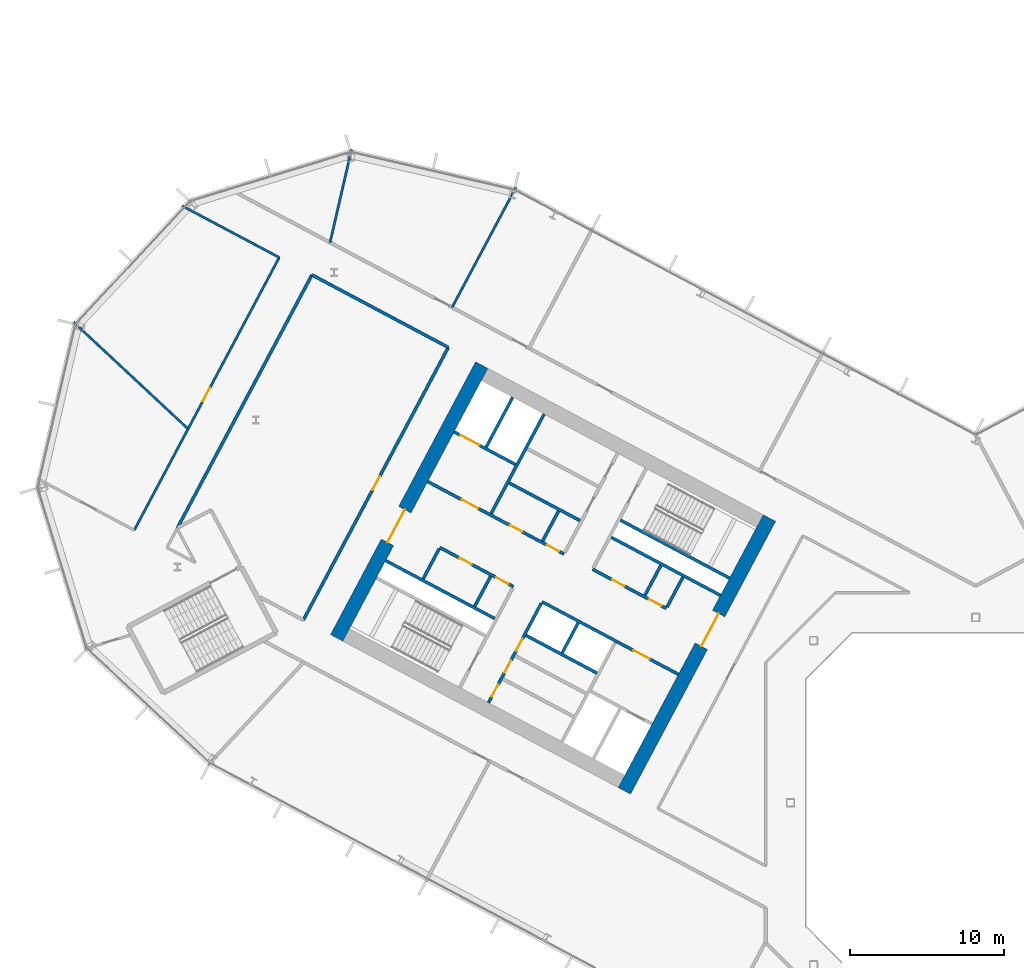
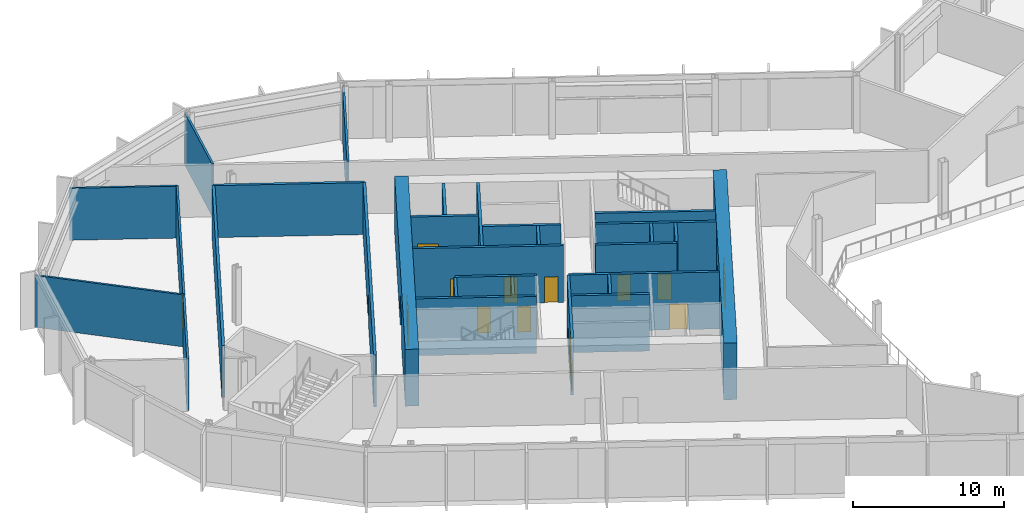
# One storey, part 14 of 32: 29 walls, 16 doors, 16 openings.
"""IFC4 building model written with IfcOpenShell, lengths in metres."""

from ifc_helpers import new_model, si_unit, direction, frame, frame_2d, origin, place, context, subcontext, project, spatial, rectangle, extrude, material, layer, layer_set, type_object, element, fill, save


model = new_model("IFC4")

# Units and contexts
model_context = context("Model", 3, precision=1e-05, world=origin(), true_north=direction((0.0, 1.0)))
body_context = subcontext(model_context, "Body", "Model", "MODEL_VIEW")
ifc_project = project(units=[si_unit("LENGTHUNIT", "METRE"), si_unit("AREAUNIT", "SQUARE_METRE"), si_unit("VOLUMEUNIT", "CUBIC_METRE"), si_unit("PLANEANGLEUNIT", "RADIAN"), si_unit("MASSUNIT", "GRAM", prefix="KILO")], contexts=[model_context])

# Site, building, storey
site_placement = place(None, origin())
site = spatial("IfcSite", under=ifc_project, at=site_placement, CompositionType="ELEMENT")
building_placement = place(site_placement, origin())
building = spatial("IfcBuilding", under=site, at=building_placement, Name="Cormorant Relay Tower", CompositionType="ELEMENT")
storey_placement = place(building_placement, frame((0.0, 0.0, 70.800048828125)))
storey = spatial("IfcBuildingStorey", under=building, at=storey_placement, Name="L13", CompositionType="ELEMENT", Elevation=70.800048828125)

# Walls
ifc_material_1 = material(Name="Concrete 40 MPa", Category="concrete")
ifc_layer_1 = layer(ifc_material_1, 0.199951171875)
ifc_layer_set_1 = layer_set([ifc_layer_1], Name="Core internal wall 200")
wall_type_1 = type_object("IfcWallType", Name="Core internal wall 200", PredefinedType="SOLIDWALL", material=ifc_layer_set_1)
wall_1_placement = place(storey_placement, frame((-20.39013671875, 15.371826171875, 0.0), z_axis=(0.0, 0.0, 1.0), x_axis=(-0.4694473164, -0.882960484464, 0.0)))
element("IfcWall", 1, at=wall_1_placement, inside=storey, type_object=wall_type_1, Name="L13 core A shaft and room wall", PredefinedType="SOLIDWALL", context=body_context, shape_type="SweptSolid", body=[
    extrude(rectangle(XDim=2.199951171875, YDim=0.199951171875, at=frame_2d((1.10009765625, 0.0))), origin(), (0.0, 0.0, 1.0), 4.599853515625),
])
wall_2_placement = place(storey_placement, frame((-25.744140625, 11.64990234375, 0.0), z_axis=(0.0, 0.0, 1.0), x_axis=(-0.469487830541, -0.882938942948, 0.0)))
element("IfcWall", 2, at=wall_2_placement, inside=storey, type_object=wall_type_1, Name="L13 core A shaft and room wall", PredefinedType="SOLIDWALL", context=body_context, shape_type="SweptSolid", body=[
    extrude(rectangle(XDim=2.2001953125, YDim=0.199951171875, at=frame_2d((1.10009765625, 0.0))), origin(), (0.0, 0.0, 1.0), 4.599853515625),
])
for number, where, z_axis, x_axis, name in (
    (3, (-27.01220703125, 18.892822265625, 0.0), (0.0, 0.0, 1.0), (-0.4694473164, -0.882960484464, 0.0), "L13 core A shaft and room wall"),
    (4, (-31.41259765625, 14.663818359375, 0.0), (0.0, 0.0, 1.0), (-0.469533832133, -0.882914480843, 0.0), "L13 core A shaft and room wall"),
):
    element("IfcWall", number, at=place(storey_placement, frame(where, z_axis=z_axis, x_axis=x_axis)), inside=storey, type_object=wall_type_1, Name=name, PredefinedType="SOLIDWALL", context=body_context, shape_type="SweptSolid", body=[
        extrude(rectangle(XDim=2.199951171875, YDim=0.199951171875, at=frame_2d((1.10009765625, 0.0))), origin(), (0.0, 0.0, 1.0), 4.599853515625),
    ])
ifc_material_2 = material(Name="Concrete 50 MPa", Category="concrete")
ifc_layer_2 = layer(ifc_material_2, 0.199951171875)
ifc_layer_set_2 = layer_set([ifc_layer_2], Name="Core shaft wall 200")
wall_type_2 = type_object("IfcWallType", Name="Core shaft wall 200", PredefinedType="SHEAR", material=ifc_layer_set_2)
wall_3_placement = place(storey_placement, frame((-18.959716796875, 14.611328125, 0.0), z_axis=(0.0, 0.0, 1.0), x_axis=(-0.4694473164, -0.882960484464, 0.0)))
element("IfcWall", 5, at=wall_3_placement, inside=storey, type_object=wall_type_2, Name="L13 core A shaft wall", PredefinedType="SHEAR", context=body_context, shape_type="SweptSolid", body=[
    extrude(rectangle(XDim=2.199951171875, YDim=0.199951171875, at=frame_2d((1.10009765625, 0.0))), origin(), (0.0, 0.0, 1.0), 4.599853515625),
])

# Wall, openings, doors
wall_4_placement = place(storey_placement, frame((-28.128173828125, 12.91748046875, 0.0), z_axis=(0.0, 0.0, 1.0), x_axis=(-0.469454336211, -0.882956752176, 0.0)))
wall_4 = element("IfcWall", 6, at=wall_4_placement, inside=storey, type_object=wall_type_2, Name="L13 core A shaft wall", PredefinedType="SHEAR", context=body_context, shape_type="SweptSolid", body=[
    extrude(rectangle(XDim=7.300048828125, YDim=0.199951171875, at=frame_2d((3.64990234375, 0.0))), origin(), (0.0, 0.0, 1.0), 4.599853515625),
])
opening_1_placement = place(wall_4_placement, frame((2.60009765625, 0.0, 0.0)))
opening_1 = element("IfcOpeningElement", 7, at=opening_1_placement, cuts=wall_4, Name="Opening CDD-114", PredefinedType="OPENING", context=body_context, shape_type="SweptSolid", body=[
    extrude(rectangle(XDim=0.89990234375, YDim=2.10009765625, at=frame_2d((0.449951171875, 1.050048828125))), frame((0.0, 0.10986328125, 0.0), z_axis=(0.0, -1.0, 0.0), x_axis=(1.0, 0.0, 0.0)), (0.0, 0.0, 1.0), 0.219970703125),
])
opening_2_placement = place(wall_4_placement, frame((4.199951171875, 0.0, 0.0)))
opening_2 = element("IfcOpeningElement", 8, at=opening_2_placement, cuts=wall_4, Name="Opening CDD-115", PredefinedType="OPENING", context=body_context, shape_type="SweptSolid", body=[
    extrude(rectangle(XDim=0.89990234375, YDim=2.10009765625, at=frame_2d((0.449951171875, 1.050048828125))), frame((0.0, 0.10986328125, 0.0), z_axis=(0.0, -1.0, 0.0), x_axis=(1.0, 0.0, 0.0)), (0.0, 0.0, 1.0), 0.219970703125),
])
opening_3_placement = place(wall_4_placement, frame((5.949951171875, 0.0, 0.0)))
opening_3 = element("IfcOpeningElement", 9, at=opening_3_placement, cuts=wall_4, Name="Opening CDD-116", PredefinedType="OPENING", context=body_context, shape_type="SweptSolid", body=[
    extrude(rectangle(XDim=0.89990234375, YDim=2.10009765625, at=frame_2d((0.449951171875, 1.050048828125))), frame((0.0, 0.10986328125, 0.0), z_axis=(0.0, -1.0, 0.0), x_axis=(1.0, 0.0, 0.0)), (0.0, 0.0, 1.0), 0.219970703125),
])
ifc_material_3 = material(Name="Steel fire door", Category="steel")
door_type_1 = type_object("IfcDoorType", Name="Core room door 900x2100", OperationType="SINGLE_SWING_LEFT", PredefinedType="DOOR", material=ifc_material_3)
door_1_placement = place(opening_1_placement, origin())
door_1 = element("IfcDoor", 10, at=door_1_placement, inside=storey, type_object=door_type_1, Name="Core room door 900x2100", OperationType="SINGLE_SWING_LEFT", OverallHeight=2.10009765625, OverallWidth=0.89990234375, PredefinedType="DOOR", context=body_context, shape_type="SweptSolid", body=[
    extrude(rectangle(XDim=0.89990234375, YDim=2.10009765625, at=frame_2d((0.449951171875, 1.050048828125))), frame((0.0, 0.02490234375, 0.0), z_axis=(0.0, -1.0, 0.0), x_axis=(1.0, 0.0, 0.0)), (0.0, 0.0, 1.0), 0.050048828125),
])
fill(opening_1, door_1)
door_2_placement = place(opening_2_placement, origin())
door_2 = element("IfcDoor", 11, at=door_2_placement, inside=storey, type_object=door_type_1, Name="Core room door 900x2100", OperationType="SINGLE_SWING_LEFT", OverallHeight=2.10009765625, OverallWidth=0.89990234375, PredefinedType="DOOR", context=body_context, shape_type="SweptSolid", body=[
    extrude(rectangle(XDim=0.89990234375, YDim=2.10009765625, at=frame_2d((0.449951171875, 1.050048828125))), frame((0.0, 0.02490234375, 0.0), z_axis=(0.0, -1.0, 0.0), x_axis=(1.0, 0.0, 0.0)), (0.0, 0.0, 1.0), 0.050048828125),
])
fill(opening_2, door_2)
door_3_placement = place(opening_3_placement, origin())
door_3 = element("IfcDoor", 12, at=door_3_placement, inside=storey, type_object=door_type_1, Name="Core room door 900x2100", OperationType="SINGLE_SWING_LEFT", OverallHeight=2.10009765625, OverallWidth=0.89990234375, PredefinedType="DOOR", context=body_context, shape_type="SweptSolid", body=[
    extrude(rectangle(XDim=0.89990234375, YDim=2.10009765625, at=frame_2d((0.449951171875, 1.050048828125))), frame((0.0, 0.02490234375, 0.0), z_axis=(0.0, -1.0, 0.0), x_axis=(1.0, 0.0, 0.0)), (0.0, 0.0, 1.0), 0.050048828125),
])
fill(opening_3, door_3)

# Walls
wall_5_placement = place(storey_placement, frame((-27.955322265625, 25.170654296875, 0.0), z_axis=(0.0, 0.0, 1.0), x_axis=(-0.469480409012, -0.88294288918, 0.0)))
element("IfcWall", 13, at=wall_5_placement, inside=storey, type_object=wall_type_2, Name="L13 core A shaft wall", PredefinedType="SHEAR", context=body_context, shape_type="SweptSolid", body=[
    extrude(rectangle(XDim=7.300048828125, YDim=0.199951171875, at=frame_2d((3.64990234375, 0.0))), origin(), (0.0, 0.0, 1.0), 4.599853515625),
])
wall_6_placement = place(storey_placement, frame((-34.750244140625, 16.4384765625, 0.0), z_axis=(0.0, 0.0, 1.0), x_axis=(-0.469401318492, -0.882984938828, 0.0)))
element("IfcWall", 14, at=wall_6_placement, inside=storey, type_object=wall_type_2, Name="L13 core A shaft wall", PredefinedType="SHEAR", context=body_context, shape_type="SweptSolid", body=[
    extrude(rectangle(XDim=2.199951171875, YDim=0.199951171875, at=frame_2d((1.10009765625, 0.0))), origin(), (0.0, 0.0, 1.0), 4.599853515625),
])
wall_7_placement = place(storey_placement, frame((-29.986083984375, 26.250244140625, 0.0), z_axis=(0.0, 0.0, 1.0), x_axis=(-0.469494272526, -0.882935517501, 0.0)))
element("IfcWall", 15, at=wall_7_placement, inside=storey, type_object=wall_type_2, Name="L13 core A shaft wall", PredefinedType="SHEAR", context=body_context, shape_type="SweptSolid", body=[
    extrude(rectangle(XDim=3.64990234375, YDim=0.199951171875, at=frame_2d((1.824951171875, 0.0))), origin(), (0.0, 0.0, 1.0), 4.599853515625),
])
wall_8_placement = place(storey_placement, frame((-15.94189453125, 14.53564453125, 0.0), z_axis=(0.0, 0.0, 1.0), x_axis=(-0.882946947542, 0.469472776449, 0.0)))
element("IfcWall", 16, at=wall_8_placement, inside=storey, type_object=wall_type_2, Name="L13 core A shaft wall", PredefinedType="SHEAR", context=body_context, shape_type="SweptSolid", body=[
    extrude(rectangle(XDim=8.000244140625, YDim=0.199951171875, at=frame_2d((4.0, 0.0))), origin(), (0.0, 0.0, 1.0), 4.599853515625),
])

# Wall, opening, door
wall_9_placement = place(storey_placement, frame((-29.80419921875, 21.906494140625, 0.0), z_axis=(0.0, 0.0, 1.0), x_axis=(-0.882960433586, 0.469447412093, 0.0)))
wall_9 = element("IfcWall", 17, at=wall_9_placement, inside=storey, type_object=wall_type_2, Name="L13 core A shaft wall", PredefinedType="SHEAR", context=body_context, shape_type="SweptSolid", body=[
    extrude(rectangle(XDim=4.5, YDim=0.199951171875, at=frame_2d((2.25, 0.0))), origin(), (0.0, 0.0, 1.0), 4.599853515625),
])
opening_4_placement = place(wall_9_placement, frame((2.64990234375, 0.0, 0.0)))
opening_4 = element("IfcOpeningElement", 18, at=opening_4_placement, cuts=wall_9, Name="Opening LD3-009", PredefinedType="OPENING", context=body_context, shape_type="SweptSolid", body=[
    extrude(rectangle(XDim=1.39990234375, YDim=2.39990234375, at=frame_2d((0.699951171875, 1.199951171875))), frame((0.0, 0.10986328125, 0.0), z_axis=(0.0, -1.0, 0.0), x_axis=(1.0, 0.0, 0.0)), (0.0, 0.0, 1.0), 0.219970703125),
])
ifc_material_4 = material(Name="Stainless steel 316", Category="steel")
door_type_2 = type_object("IfcDoorType", Name="Lift landing door 1400x2400", OperationType="DOUBLE_DOOR_SLIDING", PredefinedType="DOOR", material=ifc_material_4)
door_4_placement = place(opening_4_placement, origin())
door_4 = element("IfcDoor", 19, at=door_4_placement, inside=storey, type_object=door_type_2, Name="SV1 landing door", OperationType="DOUBLE_DOOR_SLIDING", OverallHeight=2.39990234375, OverallWidth=1.39990234375, PredefinedType="DOOR", context=body_context, shape_type="SweptSolid", body=[
    extrude(rectangle(XDim=1.39990234375, YDim=2.39990234375, at=frame_2d((0.699951171875, 1.199951171875))), frame((0.0, 0.02490234375, 0.0), z_axis=(0.0, -1.0, 0.0), x_axis=(1.0, 0.0, 0.0)), (0.0, 0.0, 1.0), 0.050048828125),
])
fill(opening_4, door_4)

# Walls
wall_10_placement = place(storey_placement, frame((-16.52880859375, 13.43212890625, 0.0), z_axis=(0.0, 0.0, 1.0), x_axis=(-0.88295287151, 0.469461634952, 0.0)))
element("IfcWall", 20, at=wall_10_placement, inside=storey, type_object=wall_type_2, Name="L13 core A shaft wall", PredefinedType="SHEAR", context=body_context, shape_type="SweptSolid", body=[
    extrude(rectangle(XDim=7.999755859375, YDim=0.199951171875, at=frame_2d((4.0, 0.0))), origin(), (0.0, 0.0, 1.0), 4.599853515625),
])
wall_11_placement = place(storey_placement, frame((-25.623046875, 18.267578125, 0.0), z_axis=(0.0, 0.0, 1.0), x_axis=(-0.882953967957, 0.469459572775, 0.0)))
element("IfcWall", 21, at=wall_11_placement, inside=storey, type_object=wall_type_2, Name="L13 core A shaft wall", PredefinedType="SHEAR", context=body_context, shape_type="SweptSolid", body=[
    extrude(rectangle(XDim=5.199951171875, YDim=0.199951171875, at=frame_2d((2.60009765625, 0.0))), origin(), (0.0, 0.0, 1.0), 4.599853515625),
])

# Wall, openings, doors
wall_12_placement = place(storey_placement, frame((-20.03955078125, 12.58056640625, 0.0), z_axis=(0.0, 0.0, 1.0), x_axis=(-0.882942972946, 0.469480251476, 0.0)))
wall_12 = element("IfcWall", 22, at=wall_12_placement, inside=storey, type_object=wall_type_2, Name="L13 core A shaft wall", PredefinedType="SHEAR", context=body_context, shape_type="SweptSolid", body=[
    extrude(rectangle(XDim=5.39990234375, YDim=0.199951171875, at=frame_2d((2.699951171875, 0.0))), origin(), (0.0, 0.0, 1.0), 4.599853515625),
])
opening_5_placement = place(wall_12_placement, frame((0.360107421875, 0.0, 0.0)))
opening_5 = element("IfcOpeningElement", 23, at=opening_5_placement, cuts=wall_12, Name="Opening CDD-110", PredefinedType="OPENING", context=body_context, shape_type="SweptSolid", body=[
    extrude(rectangle(XDim=0.89990234375, YDim=2.10009765625, at=frame_2d((0.449951171875, 1.050048828125))), frame((0.0, 0.10986328125, 0.0), z_axis=(0.0, -1.0, 0.0), x_axis=(1.0, 0.0, 0.0)), (0.0, 0.0, 1.0), 0.219970703125),
])
opening_6_placement = place(wall_12_placement, frame((3.06005859375, 0.0, 0.0)))
opening_6 = element("IfcOpeningElement", 24, at=opening_6_placement, cuts=wall_12, Name="Opening CDD-111", PredefinedType="OPENING", context=body_context, shape_type="SweptSolid", body=[
    extrude(rectangle(XDim=0.89990234375, YDim=2.10009765625, at=frame_2d((0.449951171875, 1.050048828125))), frame((0.0, 0.10986328125, 0.0), z_axis=(0.0, -1.0, 0.0), x_axis=(1.0, 0.0, 0.0)), (0.0, 0.0, 1.0), 0.219970703125),
])
door_5_placement = place(opening_5_placement, frame((0.89990234375, 0.0, 0.0), z_axis=(0.0, 0.0, 1.0), x_axis=(-1.0, 0.0, 0.0)))
door_5 = element("IfcDoor", 25, at=door_5_placement, inside=storey, type_object=door_type_1, Name="Core room door 900x2100", OperationType="SINGLE_SWING_RIGHT", OverallHeight=2.10009765625, OverallWidth=0.89990234375, PredefinedType="DOOR", context=body_context, shape_type="SweptSolid", body=[
    extrude(rectangle(XDim=0.89990234375, YDim=2.10009765625, at=frame_2d((0.449951171875, 1.050048828125))), frame((0.0, 0.02490234375, 0.0), z_axis=(0.0, -1.0, 0.0), x_axis=(1.0, 0.0, 0.0)), (0.0, 0.0, 1.0), 0.050048828125),
])
fill(opening_5, door_5)
door_6_placement = place(opening_6_placement, frame((0.89990234375, 0.0, 0.0), z_axis=(0.0, 0.0, 1.0), x_axis=(-1.0, 0.0, 0.0)))
door_6 = element("IfcDoor", 26, at=door_6_placement, inside=storey, type_object=door_type_1, Name="Core room door 900x2100", OperationType="SINGLE_SWING_RIGHT", OverallHeight=2.10009765625, OverallWidth=0.89990234375, PredefinedType="DOOR", context=body_context, shape_type="SweptSolid", body=[
    extrude(rectangle(XDim=0.89990234375, YDim=2.10009765625, at=frame_2d((0.449951171875, 1.050048828125))), frame((0.0, 0.02490234375, 0.0), z_axis=(0.0, -1.0, 0.0), x_axis=(1.0, 0.0, 0.0)), (0.0, 0.0, 1.0), 0.050048828125),
])
fill(opening_6, door_6)

wall_13_placement = place(storey_placement, frame((-26.66162109375, 16.1015625, 0.0), z_axis=(0.0, 0.0, 1.0), x_axis=(-0.882940221191, 0.469485426614, 0.0)))
wall_13 = element("IfcWall", 27, at=wall_13_placement, inside=storey, type_object=wall_type_2, Name="L13 core A shaft wall", PredefinedType="SHEAR", context=body_context, shape_type="SweptSolid", body=[
    extrude(rectangle(XDim=10.0, YDim=0.199951171875, at=frame_2d((5.0, 0.0))), origin(), (0.0, 0.0, 1.0), 4.599853515625),
])
opening_7_placement = place(wall_13_placement, frame((6.300048828125, 0.0, 0.0)))
opening_7 = element("IfcOpeningElement", 28, at=opening_7_placement, cuts=wall_13, Name="Opening CDC-018", PredefinedType="OPENING", context=body_context, shape_type="SweptSolid", body=[
    extrude(rectangle(XDim=1.199951171875, YDim=2.10009765625, at=frame_2d((0.60009765625, 1.050048828125))), frame((0.0, 0.10986328125, 0.0), z_axis=(0.0, -1.0, 0.0), x_axis=(1.0, 0.0, 0.0)), (0.0, 0.0, 1.0), 0.219970703125),
])
opening_8_placement = place(wall_13_placement, frame((0.360107421875, 0.0, 0.0)))
opening_8 = element("IfcOpeningElement", 29, at=opening_8_placement, cuts=wall_13, Name="Opening CDD-112", PredefinedType="OPENING", context=body_context, shape_type="SweptSolid", body=[
    extrude(rectangle(XDim=0.89990234375, YDim=2.10009765625, at=frame_2d((0.449951171875, 1.050048828125))), frame((0.0, 0.10986328125, 0.0), z_axis=(0.0, -1.0, 0.0), x_axis=(1.0, 0.0, 0.0)), (0.0, 0.0, 1.0), 0.219970703125),
])
opening_9_placement = place(wall_13_placement, frame((3.06005859375, 0.0, 0.0)))
opening_9 = element("IfcOpeningElement", 30, at=opening_9_placement, cuts=wall_13, Name="Opening CDD-113", PredefinedType="OPENING", context=body_context, shape_type="SweptSolid", body=[
    extrude(rectangle(XDim=0.89990234375, YDim=2.10009765625, at=frame_2d((0.449951171875, 1.050048828125))), frame((0.0, 0.10986328125, 0.0), z_axis=(0.0, -1.0, 0.0), x_axis=(1.0, 0.0, 0.0)), (0.0, 0.0, 1.0), 0.219970703125),
])
ifc_material_5 = material(Name="Steel fire door", Category="steel")
door_type_3 = type_object("IfcDoorType", Name="Core lobby door 1200x2100", OperationType="SINGLE_SWING_LEFT", PredefinedType="DOOR", material=ifc_material_5)
door_7_placement = place(opening_7_placement, origin())
door_7 = element("IfcDoor", 31, at=door_7_placement, inside=storey, type_object=door_type_3, Name="Core lobby door 1200x2100", OperationType="SINGLE_SWING_LEFT", OverallHeight=2.10009765625, OverallWidth=1.199951171875, PredefinedType="DOOR", context=body_context, shape_type="SweptSolid", body=[
    extrude(rectangle(XDim=1.199951171875, YDim=2.10009765625, at=frame_2d((0.60009765625, 1.050048828125))), frame((0.0, 0.02490234375, 0.0), z_axis=(0.0, -1.0, 0.0), x_axis=(1.0, 0.0, 0.0)), (0.0, 0.0, 1.0), 0.050048828125),
])
fill(opening_7, door_7)
door_8_placement = place(opening_8_placement, frame((0.89990234375, 0.0, 0.0), z_axis=(0.0, 0.0, 1.0), x_axis=(-1.0, 0.0, 0.0)))
door_8 = element("IfcDoor", 32, at=door_8_placement, inside=storey, type_object=door_type_1, Name="Core room door 900x2100", OperationType="SINGLE_SWING_RIGHT", OverallHeight=2.10009765625, OverallWidth=0.89990234375, PredefinedType="DOOR", context=body_context, shape_type="SweptSolid", body=[
    extrude(rectangle(XDim=0.89990234375, YDim=2.10009765625, at=frame_2d((0.449951171875, 1.050048828125))), frame((0.0, 0.02490234375, 0.0), z_axis=(0.0, -1.0, 0.0), x_axis=(1.0, 0.0, 0.0)), (0.0, 0.0, 1.0), 0.050048828125),
])
fill(opening_8, door_8)
door_9_placement = place(opening_9_placement, frame((0.89990234375, 0.0, 0.0), z_axis=(0.0, 0.0, 1.0), x_axis=(-1.0, 0.0, 0.0)))
door_9 = element("IfcDoor", 33, at=door_9_placement, inside=storey, type_object=door_type_1, Name="Core room door 900x2100", OperationType="SINGLE_SWING_RIGHT", OverallHeight=2.10009765625, OverallWidth=0.89990234375, PredefinedType="DOOR", context=body_context, shape_type="SweptSolid", body=[
    extrude(rectangle(XDim=0.89990234375, YDim=2.10009765625, at=frame_2d((0.449951171875, 1.050048828125))), frame((0.0, 0.02490234375, 0.0), z_axis=(0.0, -1.0, 0.0), x_axis=(1.0, 0.0, 0.0)), (0.0, 0.0, 1.0), 0.050048828125),
])
fill(opening_9, door_9)

# Wall, opening, door
wall_14_placement = place(storey_placement, frame((-19.251708984375, 8.31103515625, 0.0), z_axis=(0.0, 0.0, 1.0), x_axis=(-0.882955722218, 0.469456273365, 0.0)))
wall_14 = element("IfcWall", 34, at=wall_14_placement, inside=storey, type_object=wall_type_2, Name="L13 core A shaft wall", PredefinedType="SHEAR", context=body_context, shape_type="SweptSolid", body=[
    extrude(rectangle(XDim=10.0, YDim=0.199951171875, at=frame_2d((5.0, 0.0))), origin(), (0.0, 0.0, 1.0), 4.599853515625),
])
opening_10_placement = place(wall_14_placement, frame((2.10009765625, 0.0, 0.0)))
opening_10 = element("IfcOpeningElement", 35, at=opening_10_placement, cuts=wall_14, Name="Opening CDC-017", PredefinedType="OPENING", context=body_context, shape_type="SweptSolid", body=[
    extrude(rectangle(XDim=1.199951171875, YDim=2.10009765625, at=frame_2d((0.60009765625, 1.050048828125))), frame((0.0, 0.10986328125, 0.0), z_axis=(0.0, -1.0, 0.0), x_axis=(1.0, 0.0, 0.0)), (0.0, 0.0, 1.0), 0.219970703125),
])
door_10_placement = place(opening_10_placement, origin())
door_10 = element("IfcDoor", 36, at=door_10_placement, inside=storey, type_object=door_type_3, Name="Core lobby door 1200x2100", OperationType="SINGLE_SWING_RIGHT", OverallHeight=2.10009765625, OverallWidth=1.199951171875, PredefinedType="DOOR", context=body_context, shape_type="SweptSolid", body=[
    extrude(rectangle(XDim=1.199951171875, YDim=2.10009765625, at=frame_2d((0.60009765625, 1.050048828125))), frame((0.0, 0.02490234375, 0.0), z_axis=(0.0, -1.0, 0.0), x_axis=(1.0, 0.0, 0.0)), (0.0, 0.0, 1.0), 0.050048828125),
])
fill(opening_10, door_10)

# Wall, openings, doors
wall_15_placement = place(storey_placement, frame((-29.935302734375, 13.991455078125, 0.0), z_axis=(0.0, 0.0, 1.0), x_axis=(-0.882952937579, 0.469461510692, 0.0)))
wall_15 = element("IfcWall", 37, at=wall_15_placement, inside=storey, type_object=wall_type_2, Name="L13 core A shaft wall", PredefinedType="SHEAR", context=body_context, shape_type="SweptSolid", body=[
    extrude(rectangle(XDim=5.400146484375, YDim=0.199951171875, at=frame_2d((2.7001953125, 0.0))), origin(), (0.0, 0.0, 1.0), 4.599853515625),
])
opening_11_placement = place(wall_15_placement, frame((0.360107421875, 0.0, 0.0)))
opening_11 = element("IfcOpeningElement", 38, at=opening_11_placement, cuts=wall_15, Name="Opening CDD-108", PredefinedType="OPENING", context=body_context, shape_type="SweptSolid", body=[
    extrude(rectangle(XDim=0.89990234375, YDim=2.10009765625, at=frame_2d((0.449951171875, 1.050048828125))), frame((0.0, 0.10986328125, 0.0), z_axis=(0.0, -1.0, 0.0), x_axis=(1.0, 0.0, 0.0)), (0.0, 0.0, 1.0), 0.219970703125),
])
opening_12_placement = place(wall_15_placement, frame((3.06005859375, 0.0, 0.0)))
opening_12 = element("IfcOpeningElement", 39, at=opening_12_placement, cuts=wall_15, Name="Opening CDD-109", PredefinedType="OPENING", context=body_context, shape_type="SweptSolid", body=[
    extrude(rectangle(XDim=0.89990234375, YDim=2.10009765625, at=frame_2d((0.449951171875, 1.050048828125))), frame((0.0, 0.10986328125, 0.0), z_axis=(0.0, -1.0, 0.0), x_axis=(1.0, 0.0, 0.0)), (0.0, 0.0, 1.0), 0.219970703125),
])
door_11_placement = place(opening_11_placement, origin())
door_11 = element("IfcDoor", 40, at=door_11_placement, inside=storey, type_object=door_type_1, Name="Core room door 900x2100", OperationType="SINGLE_SWING_LEFT", OverallHeight=2.10009765625, OverallWidth=0.89990234375, PredefinedType="DOOR", context=body_context, shape_type="SweptSolid", body=[
    extrude(rectangle(XDim=0.89990234375, YDim=2.10009765625, at=frame_2d((0.449951171875, 1.050048828125))), frame((0.0, 0.02490234375, 0.0), z_axis=(0.0, -1.0, 0.0), x_axis=(1.0, 0.0, 0.0)), (0.0, 0.0, 1.0), 0.050048828125),
])
fill(opening_11, door_11)
door_12_placement = place(opening_12_placement, origin())
door_12 = element("IfcDoor", 41, at=door_12_placement, inside=storey, type_object=door_type_1, Name="Core room door 900x2100", OperationType="SINGLE_SWING_LEFT", OverallHeight=2.10009765625, OverallWidth=0.89990234375, PredefinedType="DOOR", context=body_context, shape_type="SweptSolid", body=[
    extrude(rectangle(XDim=0.89990234375, YDim=2.10009765625, at=frame_2d((0.449951171875, 1.050048828125))), frame((0.0, 0.02490234375, 0.0), z_axis=(0.0, -1.0, 0.0), x_axis=(1.0, 0.0, 0.0)), (0.0, 0.0, 1.0), 0.050048828125),
])
fill(opening_12, door_12)

# Walls
wall_16_placement = place(storey_placement, frame((-24.5283203125, 8.3984375, 0.0), z_axis=(0.0, 0.0, 1.0), x_axis=(-0.882953967957, 0.469459572775, 0.0)))
element("IfcWall", 42, at=wall_16_placement, inside=storey, type_object=wall_type_2, Name="L13 core A shaft wall", PredefinedType="SHEAR", context=body_context, shape_type="SweptSolid", body=[
    extrude(rectangle(XDim=5.199951171875, YDim=0.199951171875, at=frame_2d((2.60009765625, 0.0))), origin(), (0.0, 0.0, 1.0), 4.599853515625),
])
wall_17_placement = place(storey_placement, frame((-31.150390625, 11.91943359375, 0.0), z_axis=(0.0, 0.0, 1.0), x_axis=(-0.882940221191, 0.469485426614, 0.0)))
element("IfcWall", 43, at=wall_17_placement, inside=storey, type_object=wall_type_2, Name="L13 core A shaft wall", PredefinedType="SHEAR", context=body_context, shape_type="SweptSolid", body=[
    extrude(rectangle(XDim=8.0, YDim=0.199951171875, at=frame_2d((4.0, 0.0))), origin(), (0.0, 0.0, 1.0), 4.599853515625),
])

# Wall, opening, door
ifc_material_6 = material(Name="Concrete 70 MPa", Category="concrete")
ifc_layer_3 = layer(ifc_material_6, 0.89990234375)
ifc_layer_set_3 = layer_set([ifc_layer_3], Name="Core wall 900")
wall_type_3 = type_object("IfcWallType", Name="Core wall 900", PredefinedType="SHEAR", material=ifc_layer_set_3)
wall_18_placement = place(storey_placement, frame((-13.361572265625, 18.43017578125, 0.0), z_axis=(0.0, 0.0, 1.0), x_axis=(-0.46947084998, -0.882947971864, 0.0)))
wall_18 = element("IfcWall", 44, at=wall_18_placement, inside=storey, type_object=wall_type_3, Name="L13 core A wall", PredefinedType="SHEAR", context=body_context, shape_type="SweptSolid", body=[
    extrude(rectangle(XDim=20.0, YDim=0.89990234375, at=frame_2d((10.0, 0.0))), origin(), (0.0, 0.0, 1.0), 4.599853515625),
])
opening_13_placement = place(wall_18_placement, frame((7.0, 0.0, 0.0)))
opening_13 = element("IfcOpeningElement", 45, at=opening_13_placement, cuts=wall_18, Name="Opening CDA-017", PredefinedType="OPENING", context=body_context, shape_type="SweptSolid", body=[
    extrude(rectangle(XDim=2.39990234375, YDim=2.39990234375, at=frame_2d((1.199951171875, 1.199951171875))), frame((0.0, 0.4599609375, 0.0), z_axis=(0.0, -1.0, 0.0), x_axis=(1.0, 0.0, 0.0)), (0.0, 0.0, 1.0), 0.919921875),
])
ifc_material_7 = material(Name="Steel fire door", Category="steel")
door_type_4 = type_object("IfcDoorType", Name="Core lobby door 2400x2400", OperationType="DOUBLE_DOOR_SINGLE_SWING", PredefinedType="DOOR", material=ifc_material_7)
door_13_placement = place(opening_13_placement, frame((2.39990234375, 0.0, 0.0), z_axis=(0.0, 0.0, 1.0), x_axis=(-1.0, 0.0, 0.0)))
door_13 = element("IfcDoor", 46, at=door_13_placement, inside=storey, type_object=door_type_4, Name="Core lobby door 2400x2400", OperationType="DOUBLE_DOOR_SINGLE_SWING", OverallHeight=2.39990234375, OverallWidth=2.39990234375, PredefinedType="DOOR", context=body_context, shape_type="SweptSolid", body=[
    extrude(rectangle(XDim=2.39990234375, YDim=2.39990234375, at=frame_2d((1.199951171875, 1.199951171875))), frame((0.0, 0.02490234375, 0.0), z_axis=(0.0, -1.0, 0.0), x_axis=(1.0, 0.0, 0.0)), (0.0, 0.0, 1.0), 0.050048828125),
])
fill(opening_13, door_13)

wall_19_placement = place(storey_placement, frame((-31.99169921875, 28.3359375, 0.0), z_axis=(0.0, 0.0, 1.0), x_axis=(-0.46947084998, -0.882947971864, 0.0)))
wall_19 = element("IfcWall", 47, at=wall_19_placement, inside=storey, type_object=wall_type_3, Name="L13 core A wall", PredefinedType="SHEAR", context=body_context, shape_type="SweptSolid", body=[
    extrude(rectangle(XDim=20.0, YDim=0.89990234375, at=frame_2d((10.0, 0.0))), origin(), (0.0, 0.0, 1.0), 4.599853515625),
])
opening_14_placement = place(wall_19_placement, frame((10.60009765625, 0.0, 0.0)))
opening_14 = element("IfcOpeningElement", 48, at=opening_14_placement, cuts=wall_19, Name="Opening CDA-018", PredefinedType="OPENING", context=body_context, shape_type="SweptSolid", body=[
    extrude(rectangle(XDim=2.39990234375, YDim=2.39990234375, at=frame_2d((1.199951171875, 1.199951171875))), frame((0.0, 0.4599609375, 0.0), z_axis=(0.0, -1.0, 0.0), x_axis=(1.0, 0.0, 0.0)), (0.0, 0.0, 1.0), 0.919921875),
])
door_14_placement = place(opening_14_placement, origin())
door_14 = element("IfcDoor", 49, at=door_14_placement, inside=storey, type_object=door_type_4, Name="Core lobby door 2400x2400", OperationType="DOUBLE_DOOR_SINGLE_SWING", OverallHeight=2.39990234375, OverallWidth=2.39990234375, PredefinedType="DOOR", context=body_context, shape_type="SweptSolid", body=[
    extrude(rectangle(XDim=2.39990234375, YDim=2.39990234375, at=frame_2d((1.199951171875, 1.199951171875))), frame((0.0, 0.02490234375, 0.0), z_axis=(0.0, -1.0, 0.0), x_axis=(1.0, 0.0, 0.0)), (0.0, 0.0, 1.0), 0.050048828125),
])
fill(opening_14, door_14)

# Walls
ifc_material_8 = material(Name="Fire-rated gypsum board partition")
ifc_layer_4 = layer(ifc_material_8, 0.199951171875)
ifc_layer_set_4 = layer_set([ifc_layer_4], Name="Fire-rated gypsum partition 200")
wall_type_4 = type_object("IfcWallType", Name="Fire-rated gypsum partition 200", PredefinedType="PARTITIONING", material=ifc_layer_set_4)
wall_20_placement = place(storey_placement, frame((-51.695068359375, 17.798095703125, 0.0), z_axis=(0.0, 0.0, 1.0), x_axis=(0.469483567396, 0.88294120979, 0.0)))
element("IfcWall", 50, at=wall_20_placement, inside=storey, type_object=wall_type_4, Name="wall/L13/part/12", PredefinedType="PARTITIONING", context=body_context, shape_type="SweptSolid", body=[
    extrude(rectangle(XDim=18.554931640625, YDim=0.199951171875, at=frame_2d((9.27734375, 0.0))), origin(), (0.0, 0.0, 1.0), 4.199951171875),
])
wall_21_placement = place(storey_placement, frame((-42.98388671875, 34.180908203125, 0.0), z_axis=(0.0, 0.0, 1.0), x_axis=(0.882929457898, -0.469505668097, 0.0)))
element("IfcWall", 51, at=wall_21_placement, inside=storey, type_object=wall_type_4, Name="wall/L13/part/13", PredefinedType="PARTITIONING", context=body_context, shape_type="SweptSolid", body=[
    extrude(rectangle(XDim=9.99951171875, YDim=0.199951171875, at=frame_2d((4.999755859375, 0.0))), origin(), (0.0, 0.0, 1.0), 4.199951171875),
])

# Wall, opening, door
wall_22_placement = place(storey_placement, frame((-34.155029296875, 29.486083984375, 0.0), z_axis=(0.0, 0.0, 1.0), x_axis=(-0.469446756585, -0.882960782103, 0.0)))
wall_22 = element("IfcWall", 52, at=wall_22_placement, inside=storey, type_object=wall_type_4, Name="wall/L13/part/14", PredefinedType="PARTITIONING", context=body_context, shape_type="SweptSolid", body=[
    extrude(rectangle(XDim=20.0, YDim=0.199951171875, at=frame_2d((10.0, 0.0))), origin(), (0.0, 0.0, 1.0), 4.199951171875),
])
opening_15_placement = place(wall_22_placement, frame((9.449951171875, 0.0, 0.0)))
opening_15 = element("IfcOpeningElement", 53, at=opening_15_placement, cuts=wall_22, Name="Opening FD1-086", PredefinedType="OPENING", context=body_context, shape_type="SweptSolid", body=[
    extrude(rectangle(XDim=1.0, YDim=2.10009765625, at=frame_2d((0.5, 1.050048828125))), frame((0.0, 0.10986328125, 0.0), z_axis=(0.0, -1.0, 0.0), x_axis=(1.0, 0.0, 0.0)), (0.0, 0.0, 1.0), 0.219970703125),
])
ifc_material_9 = material(Name="Fire-rated steel door", Category="steel")
door_type_5 = type_object("IfcDoorType", Name="Fire door 1000 x 2100", OperationType="SINGLE_SWING_LEFT", PredefinedType="DOOR", material=ifc_material_9)
door_15_placement = place(opening_15_placement, frame((1.0, 0.0, 0.0), z_axis=(0.0, 0.0, 1.0), x_axis=(-1.0, 0.0, 0.0)))
door_15 = element("IfcDoor", 54, at=door_15_placement, inside=storey, type_object=door_type_5, Name="door/L13/3", OperationType="SINGLE_SWING_RIGHT", OverallHeight=2.10009765625, OverallWidth=1.0, PredefinedType="DOOR", context=body_context, shape_type="SweptSolid", body=[
    extrude(rectangle(XDim=1.0, YDim=2.10009765625, at=frame_2d((0.5, 1.050048828125))), frame((0.0, 0.02490234375, 0.0), z_axis=(0.0, -1.0, 0.0), x_axis=(1.0, 0.0, 0.0)), (0.0, 0.0, 1.0), 0.050048828125),
])
fill(opening_15, door_15)

ifc_material_10 = material(Name="Gypsum board partition")
ifc_layer_5 = layer(ifc_material_10, 0.14990234375)
ifc_layer_set_5 = layer_set([ifc_layer_5], Name="Gypsum board partition 150")
wall_type_5 = type_object("IfcWallType", Name="Gypsum board partition 150", PredefinedType="PARTITIONING", material=ifc_layer_set_5)
wall_23_placement = place(storey_placement, frame((-54.492919921875, 17.64892578125, 0.0), z_axis=(0.0, 0.0, 1.0), x_axis=(0.469446756585, 0.882960782103, 0.0)))
wall_23 = element("IfcWall", 55, at=wall_23_placement, inside=storey, type_object=wall_type_5, Name="wall/L13/part/1", PredefinedType="PARTITIONING", context=body_context, shape_type="SweptSolid", body=[
    extrude(rectangle(XDim=20.0, YDim=0.14990234375, at=frame_2d((10.0, 0.0))), origin(), (0.0, 0.0, 1.0), 4.199951171875),
])
opening_16_placement = place(wall_23_placement, frame((9.449951171875, 0.0, 0.0)))
opening_16 = element("IfcOpeningElement", 56, at=opening_16_placement, cuts=wall_23, Name="Opening D1-028", PredefinedType="OPENING", context=body_context, shape_type="SweptSolid", body=[
    extrude(rectangle(XDim=1.0, YDim=2.10009765625, at=frame_2d((0.5, 1.050048828125))), frame((0.0, 0.0849609375, 0.0), z_axis=(0.0, -1.0, 0.0), x_axis=(1.0, 0.0, 0.0)), (0.0, 0.0, 1.0), 0.169921875),
])
ifc_material_11 = material(Name="Painted steel door", Category="steel")
door_type_6 = type_object("IfcDoorType", Name="Single door 1000 x 2100", OperationType="SINGLE_SWING_LEFT", PredefinedType="DOOR", material=ifc_material_11)
door_16_placement = place(opening_16_placement, origin())
door_16 = element("IfcDoor", 57, at=door_16_placement, inside=storey, type_object=door_type_6, Name="door/L13/1", OperationType="SINGLE_SWING_RIGHT", OverallHeight=2.10009765625, OverallWidth=1.0, PredefinedType="DOOR", context=body_context, shape_type="SweptSolid", body=[
    extrude(rectangle(XDim=1.0, YDim=2.10009765625, at=frame_2d((0.5, 1.050048828125))), frame((0.0, 0.02490234375, 0.0), z_axis=(0.0, -1.0, 0.0), x_axis=(1.0, 0.0, 0.0)), (0.0, 0.0, 1.0), 0.050048828125),
])
fill(opening_16, door_16)

# Walls
wall_24_placement = place(storey_placement, frame((-45.10400390625, 35.30810546875, 0.0), z_axis=(0.0, 0.0, 1.0), x_axis=(-0.883009246848, 0.469355590125, 0.0)))
element("IfcWall", 58, at=wall_24_placement, inside=storey, type_object=wall_type_5, Name="wall/L13/part/2", PredefinedType="PARTITIONING", context=body_context, shape_type="SweptSolid", body=[
    extrude(rectangle(XDim=7.126708984375, YDim=0.14990234375, at=frame_2d((3.5634765625, 0.0))), origin(), (0.0, 0.0, 1.0), 4.199951171875),
])
wall_25_placement = place(storey_placement, frame((-58.427001953125, 31.125, 0.0), z_axis=(0.0, 0.0, 1.0), x_axis=(0.73145846048, -0.681886002637, 0.0)))
element("IfcWall", 59, at=wall_25_placement, inside=storey, type_object=wall_type_5, Name="wall/L13/part/3", PredefinedType="PARTITIONING", context=body_context, shape_type="SweptSolid", body=[
    extrude(rectangle(XDim=10.145263671875, YDim=0.14990234375, at=frame_2d((5.07275390625, 0.0))), origin(), (0.0, 0.0, 1.0), 4.199951171875),
])
wall_26_placement = place(storey_placement, frame((-29.779052734375, 39.845947265625, 0.0), z_axis=(0.0, 0.0, 1.0), x_axis=(-0.469464832647, -0.882951171304, 0.0)))
element("IfcWall", 60, at=wall_26_placement, inside=storey, type_object=wall_type_5, Name="wall/L13/part/18", PredefinedType="PARTITIONING", context=body_context, shape_type="SweptSolid", body=[
    extrude(rectangle(XDim=8.80126953125, YDim=0.14990234375, at=frame_2d((4.400634765625, 0.0))), origin(), (0.0, 0.0, 1.0), 4.199951171875),
])
wall_27_placement = place(storey_placement, frame((-41.81298828125, 36.27587890625, 0.0), z_axis=(0.0, 0.0, 1.0), x_axis=(0.224922797434, 0.974376587975, 0.0)))
element("IfcWall", 61, at=wall_27_placement, inside=storey, type_object=wall_type_5, Name="wall/L13/part/19", PredefinedType="PARTITIONING", context=body_context, shape_type="SweptSolid", body=[
    extrude(rectangle(XDim=6.19775390625, YDim=0.14990234375, at=frame_2d((3.098876953125, 0.0))), origin(), (0.0, 0.0, 1.0), 4.199951171875),
])

save(model, "model.ifc")
